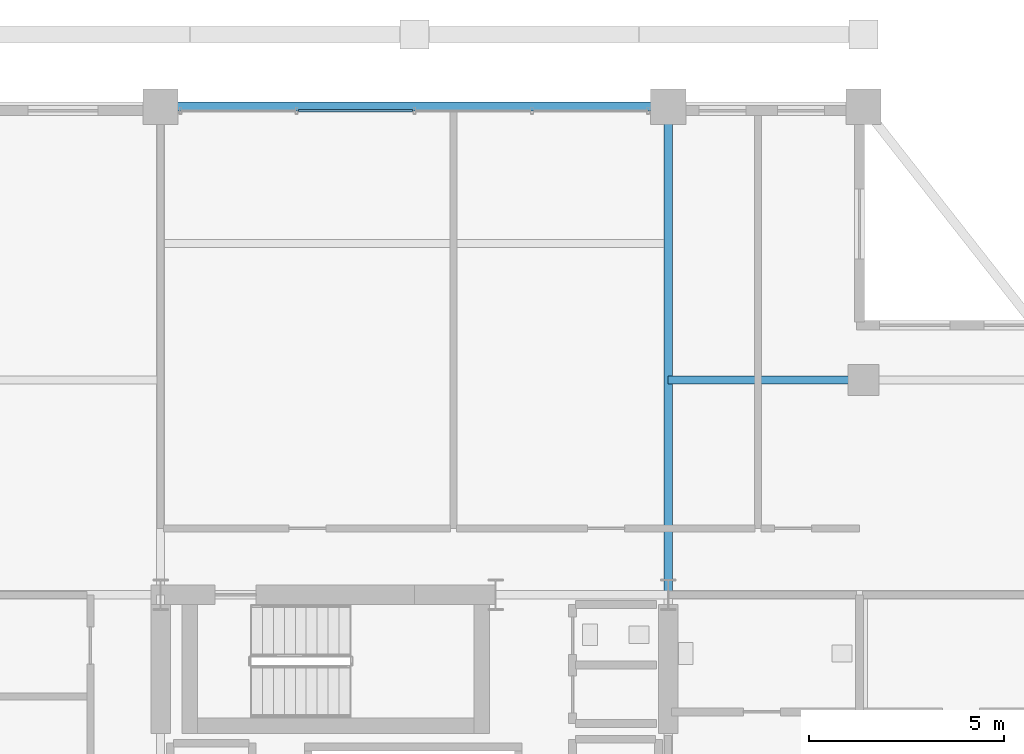
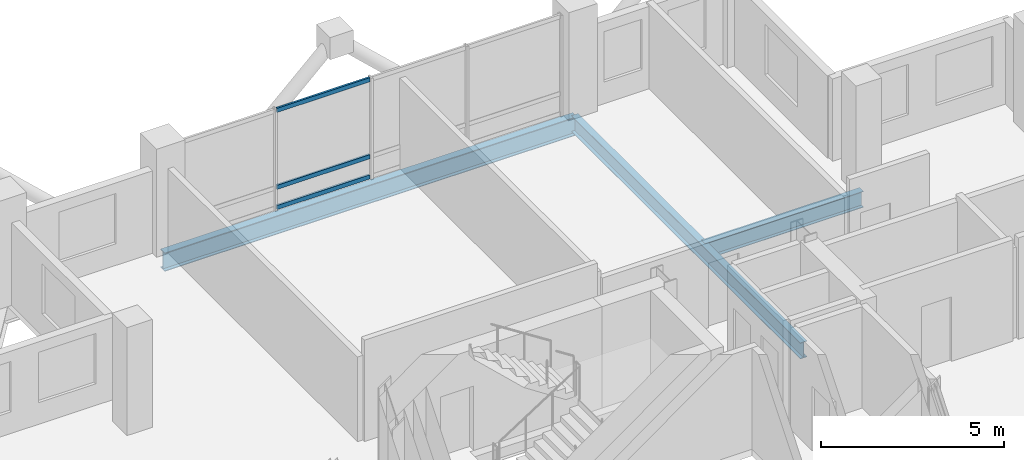
# One storey, part 15 of 22: 3 beams, 3 members, 1 element without a shape of its own.
"""IFC4 building model written with IfcOpenShell, lengths in metres."""

from ifc_helpers import new_model, si_unit, direction, frame, origin, origin_2d, place, context, subcontext, project, spatial, hollow_rectangle, i_section, extrude, material, layer, layer_set, material_profile, profile_set, type_object, element, aggregate, save


model = new_model("IFC4")

# Units and contexts
model_context = context("Model", 3, precision=1e-05, world=origin(), true_north=direction((0.0, 1.0)))
body_context = subcontext(model_context, "Body", "Model", "MODEL_VIEW")
ifc_project = project(units=[si_unit("LENGTHUNIT", "METRE"), si_unit("AREAUNIT", "SQUARE_METRE"), si_unit("VOLUMEUNIT", "CUBIC_METRE"), si_unit("PLANEANGLEUNIT", "RADIAN"), si_unit("MASSUNIT", "GRAM", prefix="KILO")], contexts=[model_context])

# Site, building, storey
site_placement = place(None, origin())
site = spatial("IfcSite", under=ifc_project, at=site_placement, CompositionType="ELEMENT")
building_placement = place(site_placement, origin())
building = spatial("IfcBuilding", under=site, at=building_placement, Name="Barlavira Tower and Art Museum", CompositionType="ELEMENT")
storey_placement = place(building_placement, frame((0.0, 0.0, 269.10009765625)))
storey = spatial("IfcBuildingStorey", under=building, at=storey_placement, Name="L70", CompositionType="ELEMENT", Elevation=269.10009765625)

# Curtain wall, members
ifc_material_1 = material(Name="Low-iron coastal laminated glass", Category="glass")
ifc_layer = layer(ifc_material_1, 0.2099609375, Name="Low-iron coastal laminated glass")
ifc_layer_set = layer_set([ifc_layer], Name="Low-iron coastal laminated glass")
curtain_wall_type = type_object("IfcCurtainWallType", Name="Pale-Metal Unitised Curtain Wall Zone 4", PredefinedType="NOTDEFINED", material=ifc_layer_set)
curtain_wall_placement = place(storey_placement, origin())
curtain_wall = element("IfcCurtainWall", 1, at=curtain_wall_placement, inside=storey, type_object=curtain_wall_type, Name="L70 Curtain Wall CW4-L70-N-B2", PredefinedType="NOTDEFINED")
ifc_material_2 = material(Name="Pale anodised aluminium", Category="aluminium")
ifc_material_profile_1 = material_profile(ifc_material_2, hollow_rectangle(XDim=0.06494140625, YDim=0.139892578125, WallThickness=0.00390625, at=origin_2d()), Name="ALU-TRAN 65x140x4")
ifc_profile_set_1 = profile_set([ifc_material_profile_1], Name="Pale anodised aluminium")
member_type = type_object("IfcMemberType", Name="Curtain Wall Pale-Metal Transom 65x140", PredefinedType="USERDEFINED", material=ifc_profile_set_1)
member_1_placement = place(storey_placement, frame((-0.044921875, 19.89990234375, 0.06982421875), z_axis=(-1.0, 0.0, 0.0), x_axis=(0.0, -1.0, 0.0)))
member_1 = element("IfcMember", 2, at=member_1_placement, type_object=member_type, Name="CW4-L70-N-B2 Transom 2.1", ObjectType="TRANSOM", PredefinedType="USERDEFINED", context=body_context, shape_type="SweptSolid", body=[
    extrude(hollow_rectangle(XDim=0.06494140625, YDim=0.139892578125, WallThickness=0.00390625, at=origin_2d()), origin(), (0.0, 0.0, 1.0), 2.925048828125),
])
member_2_placement = place(storey_placement, frame((-0.044921875, 19.89990234375, 0.743896484375), z_axis=(-1.0, 0.0, 0.0), x_axis=(0.0, -1.0, 0.0)))
member_2 = element("IfcMember", 3, at=member_2_placement, type_object=member_type, Name="CW4-L70-N-B2 Transom 2.2", ObjectType="TRANSOM", PredefinedType="USERDEFINED", context=body_context, shape_type="SweptSolid", body=[
    extrude(hollow_rectangle(XDim=0.06494140625, YDim=0.139892578125, WallThickness=0.00390625, at=origin_2d()), origin(), (0.0, 0.0, 1.0), 2.925048828125),
])
member_3_placement = place(storey_placement, frame((-0.044921875, 19.89990234375, 3.309814453125), z_axis=(-1.0, 0.0, 0.0), x_axis=(0.0, -1.0, 0.0)))
member_3 = element("IfcMember", 4, at=member_3_placement, type_object=member_type, Name="CW4-L70-N-B2 Transom 2.3", ObjectType="TRANSOM", PredefinedType="USERDEFINED", context=body_context, shape_type="SweptSolid", body=[
    extrude(hollow_rectangle(XDim=0.06494140625, YDim=0.139892578125, WallThickness=0.00390625, at=origin_2d()), origin(), (0.0, 0.0, 1.0), 2.925048828125),
])
aggregate(curtain_wall, [member_1, member_2, member_3])

# Beams
ifc_material_3 = material(Name="Steel S355", Category="steel")
ifc_material_profile_2 = material_profile(ifc_material_3, i_section(OverallWidth=0.22998046875, OverallDepth=0.616943359375, WebThickness=0.01318359375, FlangeThickness=0.022216796875, at=origin_2d()), Name="W610x140.0")
ifc_profile_set_2 = profile_set([ifc_material_profile_2], Name="Steel S355")
beam_type_1 = type_object("IfcBeamType", Name="Upper Shaft Spandrel Edge Beam W610x140 Steel S355", PredefinedType="SPANDREL", material=ifc_profile_set_2)
beam_1_placement = place(storey_placement, frame((-6.5, 20.0, -0.528564453125), z_axis=(1.0, 0.0, 0.0), x_axis=(0.0, 1.0, 0.0)))
element("IfcBeam", 5, at=beam_1_placement, inside=storey, type_object=beam_type_1, Name="L70 Spandrel 10", PredefinedType="SPANDREL", context=body_context, shape_type="SweptSolid", body=[
    extrude(i_section(OverallWidth=0.22998046875, OverallDepth=0.616943359375, WebThickness=0.01318359375, FlangeThickness=0.022216796875, at=origin_2d()), origin(), (0.0, 0.0, 1.0), 13.0),
])
ifc_material_profile_3 = material_profile(ifc_material_3, i_section(OverallWidth=0.2109375, OverallDepth=0.5390625, WebThickness=0.01171875, FlangeThickness=0.018798828125, at=origin_2d()), Name="W530x109.0")
ifc_profile_set_3 = profile_set([ifc_material_profile_3], Name="Steel S355")
beam_type_2 = type_object("IfcBeamType", Name="Zone 3-4 Primary Floor Girder W530x109 Steel S355", PredefinedType="BEAM", material=ifc_profile_set_3)
beam_2_placement = place(storey_placement, frame((6.5, 7.5, -0.489501953125), z_axis=(0.0, 1.0, 0.0), x_axis=(-1.0, 0.0, 0.0)))
element("IfcBeam", 6, at=beam_2_placement, inside=storey, type_object=beam_type_2, Name="L70 Girder R-N2", PredefinedType="BEAM", context=body_context, shape_type="SweptSolid", body=[
    extrude(i_section(OverallWidth=0.2109375, OverallDepth=0.5390625, WebThickness=0.01171875, FlangeThickness=0.018798828125, at=origin_2d()), origin(), (0.0, 0.0, 1.0), 12.5),
])
beam_3_placement = place(storey_placement, frame((6.5, 13.0, -0.489501953125), z_axis=(1.0, 0.0, 0.0), x_axis=(0.0, 1.0, 0.0)))
element("IfcBeam", 7, at=beam_3_placement, inside=storey, type_object=beam_type_2, Name="L70 Girder I-N3", PredefinedType="BEAM", context=body_context, shape_type="SweptSolid", body=[
    extrude(i_section(OverallWidth=0.2109375, OverallDepth=0.5390625, WebThickness=0.01171875, FlangeThickness=0.018798828125, at=origin_2d()), origin(), (0.0, 0.0, 1.0), 5.0),
])

save(model, "model.ifc")
